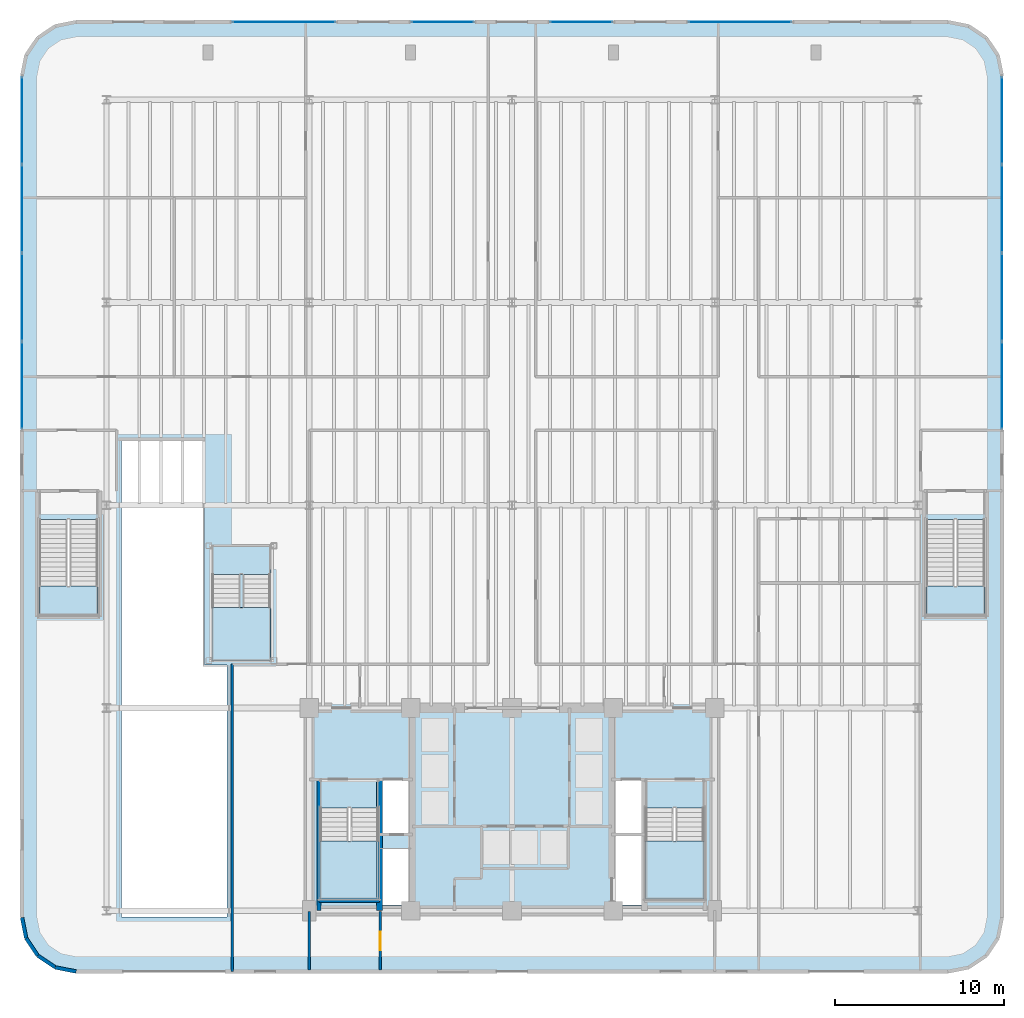
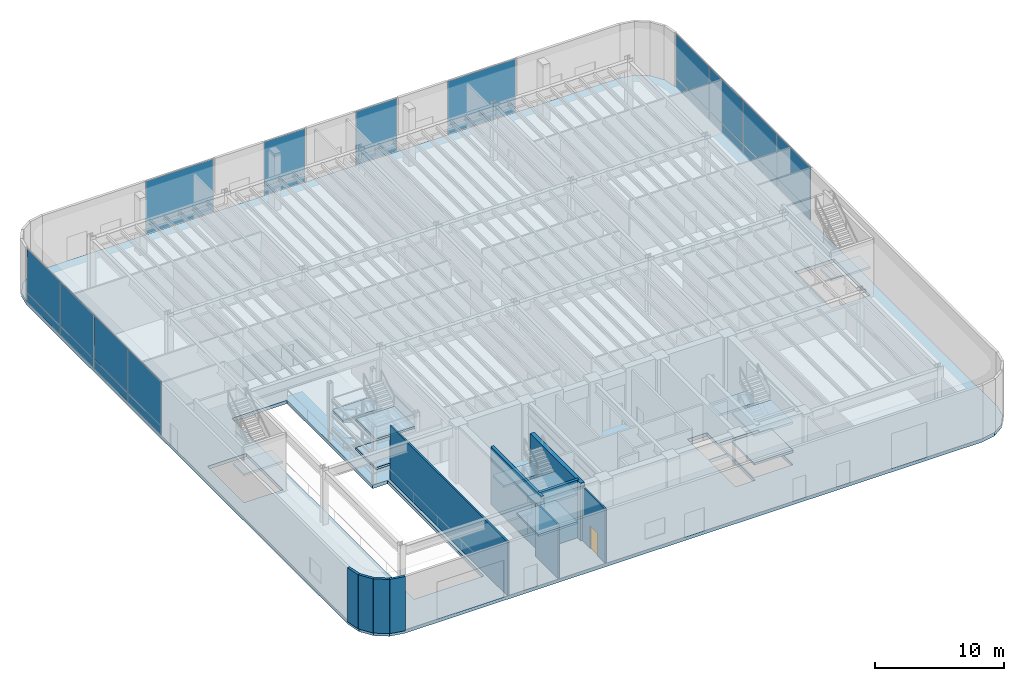
# One storey, part 6 of 17: 24 plates, 12 slabs, 10 walls, 1 door, 1 opening, 11 elements without a shape of their own.
"""IFC4 building model written with IfcOpenShell, lengths in metres."""

from ifc_helpers import new_model, si_unit, direction, frame, frame_2d, origin, origin_2d, place, context, subcontext, project, spatial, polyline, rectangle, outline, extrude, source, transform, mapped, material, layer, layer_set, type_object, element, fill, aggregate, save


model = new_model("IFC4")

# Units and contexts
model_context = context("Model", 3, precision=1e-05, world=origin(), true_north=direction((0.0, 1.0)))
body_context = subcontext(model_context, "Body", "Model", "MODEL_VIEW")
ifc_project = project(units=[si_unit("LENGTHUNIT", "METRE"), si_unit("AREAUNIT", "SQUARE_METRE"), si_unit("VOLUMEUNIT", "CUBIC_METRE"), si_unit("PLANEANGLEUNIT", "RADIAN"), si_unit("MASSUNIT", "GRAM", prefix="KILO")], contexts=[model_context])

# Site, building, storey
site_placement = place(None, origin())
site = spatial("IfcSite", under=ifc_project, at=site_placement, CompositionType="ELEMENT")
building_placement = place(site_placement, origin())
building = spatial("IfcBuilding", under=site, at=building_placement, Name="Brelvock Crest Care Tower", CompositionType="ELEMENT")
storey_placement = place(building_placement, origin())
storey = spatial("IfcBuildingStorey", under=building, at=storey_placement, Name="L00", CompositionType="ELEMENT", Elevation=0.0)

# Slab
ifc_material_1 = material(Name="Concrete N50 (50 MPa)", Category="concrete")
ifc_layer_1 = layer(ifc_material_1, 0.320068359375, Name="SLB-FL1")
ifc_layer_set_1 = layer_set([ifc_layer_1], Name="Concrete N50 (50 MPa)")
slab_type_1 = type_object("IfcSlabType", Name="SLB-FL1", PredefinedType="FLOOR", material=ifc_layer_set_1)
slab_1_placement = place(storey_placement, frame((0.0, 0.0, -0.320068359375)))
element("IfcSlab", 1, at=slab_1_placement, inside=storey, type_object=slab_type_1, Name="L00 Main Structural Slab", PredefinedType="FLOOR", context=body_context, shape_type="SweptSolid", body=[
    extrude(outline(polyline([(61.800048828125, 2.39990234375), (63.024658203125, 2.6435546875), (64.062744140625, 3.33740234375), (64.75634765625, 4.37548828125), (65.0, 5.60009765625), (65.0, 55.39990234375), (64.75634765625, 56.62451171875), (64.062744140625, 57.66259765625), (63.024658203125, 58.3564453125), (61.800048828125, 58.60009765625), (10.199951171875, 58.60009765625), (8.975341796875, 58.3564453125), (7.937255859375, 57.66259765625), (7.24365234375, 56.62451171875), (7.0, 55.39990234375), (7.0, 5.60009765625), (7.24365234375, 4.37548828125), (7.937255859375, 3.33740234375), (8.975341796875, 2.6435546875), (10.199951171875, 2.39990234375), (61.800048828125, 2.39990234375)]), holes=[polyline([(28.239990234375, 10.580078125), (29.97998046875, 10.580078125), (29.97998046875, 13.739990234375), (28.239990234375, 13.739990234375), (28.239990234375, 10.580078125)]), polyline([(42.02001953125, 10.580078125), (43.760009765625, 10.580078125), (43.760009765625, 13.739990234375), (42.02001953125, 13.739990234375), (42.02001953125, 10.580078125)]), polyline([(28.239990234375, 6.340087890625), (29.97998046875, 6.340087890625), (29.97998046875, 9.64990234375), (28.239990234375, 9.64990234375), (28.239990234375, 6.340087890625)]), polyline([(24.6298828125, 12.080078125), (24.6298828125, 6.699951171875), (28.110107421875, 6.699951171875), (28.110107421875, 12.080078125), (24.6298828125, 12.080078125)]), polyline([(43.889892578125, 12.080078125), (43.889892578125, 6.699951171875), (47.3701171875, 6.699951171875), (47.3701171875, 12.080078125), (43.889892578125, 12.080078125)]), polyline([(8.010009765625, 29.14990234375), (8.010009765625, 23.5), (11.489990234375, 23.5), (11.489990234375, 29.14990234375), (8.010009765625, 29.14990234375)]), polyline([(60.510009765625, 29.14990234375), (60.510009765625, 23.5), (63.989990234375, 23.5), (63.989990234375, 29.14990234375), (60.510009765625, 29.14990234375)]), polyline([(42.02001953125, 6.340087890625), (43.760009765625, 6.340087890625), (43.760009765625, 10.5), (42.02001953125, 10.5), (42.02001953125, 6.340087890625)]), polyline([(12.8798828125, 5.639892578125), (19.1201171875, 5.639892578125), (19.1201171875, 20.550048828125), (17.800048828125, 20.550048828125), (17.800048828125, 33.800048828125), (12.8798828125, 33.800048828125), (12.8798828125, 5.639892578125)])]), origin(), (0.0, 0.0, 1.0), 0.320068359375),
])

# Stair, slabs
ifc_material_2 = material(Name="Concrete N40 (40 MPa)", Category="concrete")
stair_type_1 = type_object("IfcStairType", Name="ST-CORE1", PredefinedType="HALF_TURN_STAIR", material=ifc_material_2)
stair_1_placement = place(storey_placement, origin())
stair_1 = element("IfcStair", 2, at=stair_1_placement, inside=storey, type_object=stair_type_1, Name="L00 Fire-Isolated Core Stair ST-1", PredefinedType="HALF_TURN_STAIR")
ifc_layer_2 = layer(ifc_material_2, 0.199951171875, Name="STL-1")
ifc_layer_set_2 = layer_set([ifc_layer_2], Name="Concrete N40 (40 MPa)")
slab_type_2 = type_object("IfcSlabType", Name="STL-1", PredefinedType="LANDING", material=ifc_layer_set_2)
slab_2_placement = place(storey_placement, frame((0.0, 0.0, 1.14990234375)))
slab_2 = element("IfcSlab", 3, at=slab_2_placement, type_object=slab_type_2, Name="ST-1 landing 1", PredefinedType="LANDING", context=body_context, shape_type="SweptSolid", body=[
    extrude(outline(polyline([(24.6298828125, 10.1201171875), (24.6298828125, 6.699951171875), (28.110107421875, 6.699951171875), (28.110107421875, 10.1201171875), (24.6298828125, 10.1201171875)])), origin(), (0.0, 0.0, 1.0), 0.2001953125),
])
slab_3_placement = place(storey_placement, frame((0.0, 0.0, 2.5)))
slab_3 = element("IfcSlab", 4, at=slab_3_placement, type_object=slab_type_2, Name="ST-1 landing 2", PredefinedType="LANDING", context=body_context, shape_type="SweptSolid", body=[
    extrude(outline(polyline([(24.6298828125, 13.780029296875), (24.6298828125, 12.080078125), (28.110107421875, 12.080078125), (28.110107421875, 13.780029296875), (24.6298828125, 13.780029296875)])), origin(), (0.0, 0.0, 1.0), 0.199951171875),
])
slab_4_placement = place(storey_placement, frame((0.0, 0.0, 3.85009765625)))
slab_4 = element("IfcSlab", 5, at=slab_4_placement, type_object=slab_type_2, Name="ST-1 landing 3", PredefinedType="LANDING", context=body_context, shape_type="SweptSolid", body=[
    extrude(outline(polyline([(24.6298828125, 10.1201171875), (24.6298828125, 6.699951171875), (28.110107421875, 6.699951171875), (28.110107421875, 10.1201171875), (24.6298828125, 10.1201171875)])), origin(), (0.0, 0.0, 1.0), 0.199951171875),
])
aggregate(stair_1, [slab_2, slab_3, slab_4])

stair_2_placement = place(storey_placement, origin())
stair_2 = element("IfcStair", 6, at=stair_2_placement, inside=storey, type_object=stair_type_1, Name="L00 Fire-Isolated Core Stair ST-2", PredefinedType="HALF_TURN_STAIR")
slab_5_placement = place(storey_placement, frame((0.0, 0.0, 1.14990234375)))
slab_5 = element("IfcSlab", 7, at=slab_5_placement, type_object=slab_type_2, Name="ST-2 landing 1", PredefinedType="LANDING", context=body_context, shape_type="SweptSolid", body=[
    extrude(outline(polyline([(43.889892578125, 10.1201171875), (43.889892578125, 6.699951171875), (47.3701171875, 6.699951171875), (47.3701171875, 10.1201171875), (43.889892578125, 10.1201171875)])), origin(), (0.0, 0.0, 1.0), 0.2001953125),
])
slab_6_placement = place(storey_placement, frame((0.0, 0.0, 2.5)))
slab_6 = element("IfcSlab", 8, at=slab_6_placement, type_object=slab_type_2, Name="ST-2 landing 2", PredefinedType="LANDING", context=body_context, shape_type="SweptSolid", body=[
    extrude(outline(polyline([(43.889892578125, 13.780029296875), (43.889892578125, 12.080078125), (47.3701171875, 12.080078125), (47.3701171875, 13.780029296875), (43.889892578125, 13.780029296875)])), origin(), (0.0, 0.0, 1.0), 0.199951171875),
])
slab_7_placement = place(storey_placement, frame((0.0, 0.0, 3.85009765625)))
slab_7 = element("IfcSlab", 9, at=slab_7_placement, type_object=slab_type_2, Name="ST-2 landing 3", PredefinedType="LANDING", context=body_context, shape_type="SweptSolid", body=[
    extrude(outline(polyline([(43.889892578125, 10.1201171875), (43.889892578125, 6.699951171875), (47.3701171875, 6.699951171875), (47.3701171875, 10.1201171875), (43.889892578125, 10.1201171875)])), origin(), (0.0, 0.0, 1.0), 0.199951171875),
])
aggregate(stair_2, [slab_5, slab_6, slab_7])

# Stair, slab
stair_type_2 = type_object("IfcStairType", Name="ST-POD1", PredefinedType="HALF_TURN_STAIR", material=ifc_material_2)
stair_3_placement = place(storey_placement, origin())
stair_3 = element("IfcStair", 10, at=stair_3_placement, inside=storey, type_object=stair_type_2, Name="L00 Podium West Fire Stair ST-3", PredefinedType="HALF_TURN_STAIR")
slab_8_placement = place(storey_placement, frame((0.0, 0.0, 2.5)))
slab_8 = element("IfcSlab", 11, at=slab_8_placement, type_object=slab_type_2, Name="ST-3 landing 1", PredefinedType="LANDING", context=body_context, shape_type="SweptSolid", body=[
    extrude(outline(polyline([(8.010009765625, 25.22998046875), (8.010009765625, 23.5), (11.489990234375, 23.5), (11.489990234375, 25.22998046875), (8.010009765625, 25.22998046875)])), origin(), (0.0, 0.0, 1.0), 0.199951171875),
])
aggregate(stair_3, [slab_8])

stair_4_placement = place(storey_placement, origin())
stair_4 = element("IfcStair", 12, at=stair_4_placement, inside=storey, type_object=stair_type_2, Name="L00 Podium East Fire Stair ST-4", PredefinedType="HALF_TURN_STAIR")
slab_9_placement = place(storey_placement, frame((0.0, 0.0, 2.5)))
slab_9 = element("IfcSlab", 13, at=slab_9_placement, type_object=slab_type_2, Name="ST-4 landing 1", PredefinedType="LANDING", context=body_context, shape_type="SweptSolid", body=[
    extrude(outline(polyline([(60.510009765625, 25.22998046875), (60.510009765625, 23.5), (63.989990234375, 23.5), (63.989990234375, 25.22998046875), (60.510009765625, 25.22998046875)])), origin(), (0.0, 0.0, 1.0), 0.199951171875),
])
aggregate(stair_4, [slab_9])

# Stair, slabs
stair_type_3 = type_object("IfcStairType", Name="ST-FEA1", PredefinedType="HALF_TURN_STAIR", material=ifc_material_2)
stair_5_placement = place(storey_placement, origin())
stair_5 = element("IfcStair", 14, at=stair_5_placement, inside=storey, type_object=stair_type_3, Name="L00 Clinic Atrium Feature Stair ST-5", PredefinedType="HALF_TURN_STAIR")
slab_10_placement = place(storey_placement, frame((0.0, 0.0, 1.14990234375)))
slab_10 = element("IfcSlab", 15, at=slab_10_placement, type_object=slab_type_2, Name="ST-5 landing 1", PredefinedType="LANDING", context=body_context, shape_type="SweptSolid", body=[
    extrude(outline(polyline([(18.239990234375, 23.93994140625), (18.239990234375, 20.800048828125), (21.719970703125, 20.800048828125), (21.719970703125, 23.93994140625), (18.239990234375, 23.93994140625)])), origin(), (0.0, 0.0, 1.0), 0.2001953125),
])
slab_11_placement = place(storey_placement, frame((0.0, 0.0, 2.5)))
slab_11 = element("IfcSlab", 16, at=slab_11_placement, type_object=slab_type_2, Name="ST-5 landing 2", PredefinedType="LANDING", context=body_context, shape_type="SweptSolid", body=[
    extrude(outline(polyline([(18.239990234375, 27.60009765625), (18.239990234375, 25.89990234375), (21.719970703125, 25.89990234375), (21.719970703125, 27.60009765625), (18.239990234375, 27.60009765625)])), origin(), (0.0, 0.0, 1.0), 0.199951171875),
])
slab_12_placement = place(storey_placement, frame((0.0, 0.0, 3.85009765625)))
slab_12 = element("IfcSlab", 17, at=slab_12_placement, type_object=slab_type_2, Name="ST-5 landing 3", PredefinedType="LANDING", context=body_context, shape_type="SweptSolid", body=[
    extrude(outline(polyline([(18.239990234375, 23.93994140625), (18.239990234375, 20.800048828125), (21.719970703125, 20.800048828125), (21.719970703125, 23.93994140625), (18.239990234375, 23.93994140625)])), origin(), (0.0, 0.0, 1.0), 0.199951171875),
])
aggregate(stair_5, [slab_10, slab_11, slab_12])

# Curtain wall, plates
ifc_material_3 = material(Name="Dark Glass Double Glazed Low-E", Category="glass")
ifc_layer_3 = layer(ifc_material_3, 0.179931640625, Name="CWS-1")
ifc_layer_set_3 = layer_set([ifc_layer_3], Name="Dark Glass Double Glazed Low-E")
curtain_wall_type = type_object("IfcCurtainWallType", Name="CWS-1", PredefinedType="NOTDEFINED", material=ifc_layer_set_3)
curtain_wall_1_placement = place(storey_placement, origin())
curtain_wall_1 = element("IfcCurtainWall", 18, at=curtain_wall_1_placement, inside=storey, type_object=curtain_wall_type, Name="L00 Curtain Wall WN", PredefinedType="NOTDEFINED")
ifc_material_4 = material(Name="Dark Glass Shadow-Box Spandrel", Category="glass")
ifc_layer_4 = layer(ifc_material_4, 0.048095703125, Name="CWP-SP1")
ifc_layer_set_4 = layer_set([ifc_layer_4], Name="Dark Glass Shadow-Box Spandrel")
plate_type_1 = type_object("IfcPlateType", Name="CWP-SP1", PredefinedType="SHEET", material=ifc_layer_set_4)
shared_shape_1 = source(origin(), body_context, "Body", "SweptSolid", [
    extrude(rectangle(XDim=5.139892578125, YDim=0.035888671875, at=origin_2d()), origin(), (0.0, 0.0, 1.0), 0.802490234375),
])
plate_1_placement = place(storey_placement, frame((7.0, 37.0849609375, 0.06494140625), z_axis=(0.0, 0.0, 1.0), x_axis=(0.0, 1.0, 0.0)))
plate_1 = element("IfcPlate", 19, at=plate_1_placement, type_object=plate_type_1, Name="CW-1 panel 1.1", PredefinedType="SHEET", context=body_context, shape_type="MappedRepresentation", body=[
    mapped(shared_shape_1, transform((0.0, 0.0, 0.0), x_axis=(1.0, 0.0, 0.0), y_axis=(0.0, 1.0, 0.0), z_axis=(0.0, 0.0, 1.0), scale=1.0)),
])
plate_2_placement = place(storey_placement, frame((7.0, 52.764892578125, 0.06494140625), z_axis=(0.0, 0.0, 1.0), x_axis=(0.0, 1.0, 0.0)))
plate_2 = element("IfcPlate", 20, at=plate_2_placement, type_object=plate_type_1, Name="CW-1 panel 4.1", PredefinedType="SHEET", context=body_context, shape_type="MappedRepresentation", body=[
    mapped(shared_shape_1, transform((0.0, 0.0, 0.0), x_axis=(1.0, 0.0, 0.0), y_axis=(0.0, 1.0, 0.0), z_axis=(0.0, 0.0, 1.0), scale=1.0)),
])

curtain_wall_2_placement = place(storey_placement, origin())
curtain_wall_2 = element("IfcCurtainWall", 21, at=curtain_wall_2_placement, inside=storey, type_object=curtain_wall_type, Name="L00 Curtain Wall EN", PredefinedType="NOTDEFINED")
plate_3_placement = place(storey_placement, frame((65.0, 52.764892578125, 0.06494140625), z_axis=(0.0, 0.0, 1.0), x_axis=(0.0, -1.0, 0.0)))
plate_3 = element("IfcPlate", 22, at=plate_3_placement, type_object=plate_type_1, Name="CW-1 panel 1.1", PredefinedType="SHEET", context=body_context, shape_type="MappedRepresentation", body=[
    mapped(shared_shape_1, transform((0.0, 0.0, 0.0), x_axis=(1.0, 0.0, 0.0), y_axis=(0.0, 1.0, 0.0), z_axis=(0.0, 0.0, 1.0), scale=1.0)),
])
plate_4_placement = place(storey_placement, frame((65.0, 37.0849609375, 0.06494140625), z_axis=(0.0, 0.0, 1.0), x_axis=(0.0, -1.0, 0.0)))
plate_4 = element("IfcPlate", 23, at=plate_4_placement, type_object=plate_type_1, Name="CW-1 panel 4.1", PredefinedType="SHEET", context=body_context, shape_type="MappedRepresentation", body=[
    mapped(shared_shape_1, transform((0.0, 0.0, 0.0), x_axis=(1.0, 0.0, 0.0), y_axis=(0.0, 1.0, 0.0), z_axis=(0.0, 0.0, 1.0), scale=1.0)),
])

# Plate
ifc_layer_5 = layer(ifc_material_3, 0.031982421875, Name="CWP-V1")
ifc_layer_set_5 = layer_set([ifc_layer_5], Name="Dark Glass Double Glazed Low-E")
plate_type_2 = type_object("IfcPlateType", Name="CWP-V1", PredefinedType="CURTAIN_PANEL", material=ifc_layer_set_5)
shared_shape_2 = source(origin(), body_context, "Body", "SweptSolid", [
    extrude(rectangle(XDim=5.139892578125, YDim=0.035888671875, at=origin_2d()), origin(), (0.0, 0.0, 1.0), 4.12255859375),
])
plate_5_placement = place(storey_placement, frame((7.0, 37.0849609375, 0.932373046875), z_axis=(0.0, 0.0, 1.0), x_axis=(0.0, 1.0, 0.0)))
plate_5 = element("IfcPlate", 24, at=plate_5_placement, type_object=plate_type_2, Name="CW-1 panel 1.2", PredefinedType="CURTAIN_PANEL", context=body_context, shape_type="MappedRepresentation", body=[
    mapped(shared_shape_2, transform((0.0, 0.0, 0.0), x_axis=(1.0, 0.0, 0.0), y_axis=(0.0, 1.0, 0.0), z_axis=(0.0, 0.0, 1.0), scale=1.0)),
])

plate_6_placement = place(storey_placement, frame((7.0, 52.764892578125, 0.932373046875), z_axis=(0.0, 0.0, 1.0), x_axis=(0.0, 1.0, 0.0)))
plate_6 = element("IfcPlate", 25, at=plate_6_placement, type_object=plate_type_2, Name="CW-1 panel 4.2", PredefinedType="CURTAIN_PANEL", context=body_context, shape_type="MappedRepresentation", body=[
    mapped(shared_shape_2, transform((0.0, 0.0, 0.0), x_axis=(1.0, 0.0, 0.0), y_axis=(0.0, 1.0, 0.0), z_axis=(0.0, 0.0, 1.0), scale=1.0)),
])

plate_7_placement = place(storey_placement, frame((65.0, 52.764892578125, 0.932373046875), z_axis=(0.0, 0.0, 1.0), x_axis=(0.0, -1.0, 0.0)))
plate_7 = element("IfcPlate", 26, at=plate_7_placement, type_object=plate_type_2, Name="CW-1 panel 1.2", PredefinedType="CURTAIN_PANEL", context=body_context, shape_type="MappedRepresentation", body=[
    mapped(shared_shape_2, transform((0.0, 0.0, 0.0), x_axis=(1.0, 0.0, 0.0), y_axis=(0.0, 1.0, 0.0), z_axis=(0.0, 0.0, 1.0), scale=1.0)),
])

plate_8_placement = place(storey_placement, frame((65.0, 37.0849609375, 0.932373046875), z_axis=(0.0, 0.0, 1.0), x_axis=(0.0, -1.0, 0.0)))
plate_8 = element("IfcPlate", 27, at=plate_8_placement, type_object=plate_type_2, Name="CW-1 panel 4.2", PredefinedType="CURTAIN_PANEL", context=body_context, shape_type="MappedRepresentation", body=[
    mapped(shared_shape_2, transform((0.0, 0.0, 0.0), x_axis=(1.0, 0.0, 0.0), y_axis=(0.0, 1.0, 0.0), z_axis=(0.0, 0.0, 1.0), scale=1.0)),
])

shared_shape_3 = source(origin(), body_context, "Body", "SweptSolid", [
    extrude(rectangle(XDim=5.172607421875, YDim=0.035888671875, at=origin_2d()), origin(), (0.0, 0.0, 1.0), 0.802490234375),
])
plate_9_placement = place(storey_placement, frame((7.0, 42.30615234375, 0.06494140625), z_axis=(0.0, 0.0, 1.0), x_axis=(0.0, 1.0, 0.0)))
plate_9 = element("IfcPlate", 28, at=plate_9_placement, type_object=plate_type_1, Name="CW-1 panel 2.1", PredefinedType="SHEET", context=body_context, shape_type="MappedRepresentation", body=[
    mapped(shared_shape_3, transform((0.0, 0.0, 0.0), x_axis=(1.0, 0.0, 0.0), y_axis=(0.0, 1.0, 0.0), z_axis=(0.0, 0.0, 1.0), scale=1.0)),
])

plate_10_placement = place(storey_placement, frame((7.0, 47.543701171875, 0.06494140625), z_axis=(0.0, 0.0, 1.0), x_axis=(0.0, 1.0, 0.0)))
plate_10 = element("IfcPlate", 29, at=plate_10_placement, type_object=plate_type_1, Name="CW-1 panel 3.1", PredefinedType="SHEET", context=body_context, shape_type="MappedRepresentation", body=[
    mapped(shared_shape_3, transform((0.0, 0.0, 0.0), x_axis=(1.0, 0.0, 0.0), y_axis=(0.0, 1.0, 0.0), z_axis=(0.0, 0.0, 1.0), scale=1.0)),
])

plate_11_placement = place(storey_placement, frame((65.0, 47.543701171875, 0.06494140625), z_axis=(0.0, 0.0, 1.0), x_axis=(0.0, -1.0, 0.0)))
plate_11 = element("IfcPlate", 30, at=plate_11_placement, type_object=plate_type_1, Name="CW-1 panel 2.1", PredefinedType="SHEET", context=body_context, shape_type="MappedRepresentation", body=[
    mapped(shared_shape_3, transform((0.0, 0.0, 0.0), x_axis=(1.0, 0.0, 0.0), y_axis=(0.0, 1.0, 0.0), z_axis=(0.0, 0.0, 1.0), scale=1.0)),
])

plate_12_placement = place(storey_placement, frame((65.0, 42.30615234375, 0.06494140625), z_axis=(0.0, 0.0, 1.0), x_axis=(0.0, -1.0, 0.0)))
plate_12 = element("IfcPlate", 31, at=plate_12_placement, type_object=plate_type_1, Name="CW-1 panel 3.1", PredefinedType="SHEET", context=body_context, shape_type="MappedRepresentation", body=[
    mapped(shared_shape_3, transform((0.0, 0.0, 0.0), x_axis=(1.0, 0.0, 0.0), y_axis=(0.0, 1.0, 0.0), z_axis=(0.0, 0.0, 1.0), scale=1.0)),
])

shared_shape_4 = source(origin(), body_context, "Body", "SweptSolid", [
    extrude(rectangle(XDim=5.172607421875, YDim=0.035888671875, at=origin_2d()), origin(), (0.0, 0.0, 1.0), 4.12255859375),
])
plate_13_placement = place(storey_placement, frame((7.0, 42.30615234375, 0.932373046875), z_axis=(0.0, 0.0, 1.0), x_axis=(0.0, 1.0, 0.0)))
plate_13 = element("IfcPlate", 32, at=plate_13_placement, type_object=plate_type_2, Name="CW-1 panel 2.2", PredefinedType="CURTAIN_PANEL", context=body_context, shape_type="MappedRepresentation", body=[
    mapped(shared_shape_4, transform((0.0, 0.0, 0.0), x_axis=(1.0, 0.0, 0.0), y_axis=(0.0, 1.0, 0.0), z_axis=(0.0, 0.0, 1.0), scale=1.0)),
])

plate_14_placement = place(storey_placement, frame((7.0, 47.543701171875, 0.932373046875), z_axis=(0.0, 0.0, 1.0), x_axis=(0.0, 1.0, 0.0)))
plate_14 = element("IfcPlate", 33, at=plate_14_placement, type_object=plate_type_2, Name="CW-1 panel 3.2", PredefinedType="CURTAIN_PANEL", context=body_context, shape_type="MappedRepresentation", body=[
    mapped(shared_shape_4, transform((0.0, 0.0, 0.0), x_axis=(1.0, 0.0, 0.0), y_axis=(0.0, 1.0, 0.0), z_axis=(0.0, 0.0, 1.0), scale=1.0)),
])

aggregate(curtain_wall_1, [plate_1, plate_5, plate_9, plate_13, plate_10, plate_14, plate_2, plate_6])

plate_15_placement = place(storey_placement, frame((65.0, 47.543701171875, 0.932373046875), z_axis=(0.0, 0.0, 1.0), x_axis=(0.0, -1.0, 0.0)))
plate_15 = element("IfcPlate", 34, at=plate_15_placement, type_object=plate_type_2, Name="CW-1 panel 2.2", PredefinedType="CURTAIN_PANEL", context=body_context, shape_type="MappedRepresentation", body=[
    mapped(shared_shape_4, transform((0.0, 0.0, 0.0), x_axis=(1.0, 0.0, 0.0), y_axis=(0.0, 1.0, 0.0), z_axis=(0.0, 0.0, 1.0), scale=1.0)),
])

plate_16_placement = place(storey_placement, frame((65.0, 42.30615234375, 0.932373046875), z_axis=(0.0, 0.0, 1.0), x_axis=(0.0, -1.0, 0.0)))
plate_16 = element("IfcPlate", 35, at=plate_16_placement, type_object=plate_type_2, Name="CW-1 panel 3.2", PredefinedType="CURTAIN_PANEL", context=body_context, shape_type="MappedRepresentation", body=[
    mapped(shared_shape_4, transform((0.0, 0.0, 0.0), x_axis=(1.0, 0.0, 0.0), y_axis=(0.0, 1.0, 0.0), z_axis=(0.0, 0.0, 1.0), scale=1.0)),
])

aggregate(curtain_wall_2, [plate_3, plate_7, plate_11, plate_15, plate_12, plate_16, plate_4, plate_8])

# Curtain wall, plate
curtain_wall_3_placement = place(storey_placement, origin())
curtain_wall_3 = element("IfcCurtainWall", 36, at=curtain_wall_3_placement, inside=storey, type_object=curtain_wall_type, Name="L00 Curtain Wall NCW1", PredefinedType="NOTDEFINED")
shared_shape_5 = source(origin(), body_context, "Body", "SweptSolid", [
    extrude(rectangle(XDim=6.070068359375, YDim=0.035888671875, at=origin_2d()), origin(), (0.0, 0.0, 1.0), 0.802490234375),
])
plate_17_placement = place(storey_placement, frame((22.5, 58.60009765625, 0.06494140625), z_axis=(0.0, 0.0, 1.0), x_axis=(1.0, 0.0, 0.0)))
plate_17 = element("IfcPlate", 37, at=plate_17_placement, type_object=plate_type_1, Name="CW-1 panel 1.1", PredefinedType="SHEET", context=body_context, shape_type="MappedRepresentation", body=[
    mapped(shared_shape_5, transform((0.0, 0.0, 0.0), x_axis=(1.0, 0.0, 0.0), y_axis=(0.0, 1.0, 0.0), z_axis=(0.0, 0.0, 1.0), scale=1.0)),
])

curtain_wall_4_placement = place(storey_placement, origin())
curtain_wall_4 = element("IfcCurtainWall", 38, at=curtain_wall_4_placement, inside=storey, type_object=curtain_wall_type, Name="L00 Curtain Wall NCW3", PredefinedType="NOTDEFINED")
plate_18_placement = place(storey_placement, frame((49.5, 58.60009765625, 0.06494140625), z_axis=(0.0, 0.0, 1.0), x_axis=(1.0, 0.0, 0.0)))
plate_18 = element("IfcPlate", 39, at=plate_18_placement, type_object=plate_type_1, Name="CW-1 panel 1.1", PredefinedType="SHEET", context=body_context, shape_type="MappedRepresentation", body=[
    mapped(shared_shape_5, transform((0.0, 0.0, 0.0), x_axis=(1.0, 0.0, 0.0), y_axis=(0.0, 1.0, 0.0), z_axis=(0.0, 0.0, 1.0), scale=1.0)),
])

# Plate
shared_shape_6 = source(origin(), body_context, "Body", "SweptSolid", [
    extrude(rectangle(XDim=6.070068359375, YDim=0.035888671875, at=origin_2d()), origin(), (0.0, 0.0, 1.0), 4.12255859375),
])
plate_19_placement = place(storey_placement, frame((22.5, 58.60009765625, 0.932373046875), z_axis=(0.0, 0.0, 1.0), x_axis=(1.0, 0.0, 0.0)))
plate_19 = element("IfcPlate", 40, at=plate_19_placement, type_object=plate_type_2, Name="CW-1 panel 1.2", PredefinedType="CURTAIN_PANEL", context=body_context, shape_type="MappedRepresentation", body=[
    mapped(shared_shape_6, transform((0.0, 0.0, 0.0), x_axis=(1.0, 0.0, 0.0), y_axis=(0.0, 1.0, 0.0), z_axis=(0.0, 0.0, 1.0), scale=1.0)),
])

aggregate(curtain_wall_3, [plate_17, plate_19])

plate_20_placement = place(storey_placement, frame((49.5, 58.60009765625, 0.932373046875), z_axis=(0.0, 0.0, 1.0), x_axis=(1.0, 0.0, 0.0)))
plate_20 = element("IfcPlate", 41, at=plate_20_placement, type_object=plate_type_2, Name="CW-1 panel 1.2", PredefinedType="CURTAIN_PANEL", context=body_context, shape_type="MappedRepresentation", body=[
    mapped(shared_shape_6, transform((0.0, 0.0, 0.0), x_axis=(1.0, 0.0, 0.0), y_axis=(0.0, 1.0, 0.0), z_axis=(0.0, 0.0, 1.0), scale=1.0)),
])

aggregate(curtain_wall_4, [plate_18, plate_20])

# Curtain wall, plate
curtain_wall_5_placement = place(storey_placement, origin())
curtain_wall_5 = element("IfcCurtainWall", 42, at=curtain_wall_5_placement, inside=storey, type_object=curtain_wall_type, Name="L00 Curtain Wall NCW2A", PredefinedType="NOTDEFINED")
shared_shape_7 = source(origin(), body_context, "Body", "SweptSolid", [
    extrude(rectangle(XDim=3.669921875, YDim=0.035888671875, at=origin_2d()), origin(), (0.0, 0.0, 1.0), 0.802490234375),
])
plate_21_placement = place(storey_placement, frame((31.89990234375, 58.60009765625, 0.06494140625), z_axis=(0.0, 0.0, 1.0), x_axis=(1.0, 0.0, 0.0)))
plate_21 = element("IfcPlate", 43, at=plate_21_placement, type_object=plate_type_1, Name="CW-1 panel 1.1", PredefinedType="SHEET", context=body_context, shape_type="MappedRepresentation", body=[
    mapped(shared_shape_7, transform((0.0, 0.0, 0.0), x_axis=(1.0, 0.0, 0.0), y_axis=(0.0, 1.0, 0.0), z_axis=(0.0, 0.0, 1.0), scale=1.0)),
])

curtain_wall_6_placement = place(storey_placement, origin())
curtain_wall_6 = element("IfcCurtainWall", 44, at=curtain_wall_6_placement, inside=storey, type_object=curtain_wall_type, Name="L00 Curtain Wall NCW2B", PredefinedType="NOTDEFINED")
plate_22_placement = place(storey_placement, frame((40.10009765625, 58.60009765625, 0.06494140625), z_axis=(0.0, 0.0, 1.0), x_axis=(1.0, 0.0, 0.0)))
plate_22 = element("IfcPlate", 45, at=plate_22_placement, type_object=plate_type_1, Name="CW-1 panel 1.1", PredefinedType="SHEET", context=body_context, shape_type="MappedRepresentation", body=[
    mapped(shared_shape_7, transform((0.0, 0.0, 0.0), x_axis=(1.0, 0.0, 0.0), y_axis=(0.0, 1.0, 0.0), z_axis=(0.0, 0.0, 1.0), scale=1.0)),
])

# Plate
shared_shape_8 = source(origin(), body_context, "Body", "SweptSolid", [
    extrude(rectangle(XDim=3.669921875, YDim=0.035888671875, at=origin_2d()), origin(), (0.0, 0.0, 1.0), 4.12255859375),
])
plate_23_placement = place(storey_placement, frame((31.89990234375, 58.60009765625, 0.932373046875), z_axis=(0.0, 0.0, 1.0), x_axis=(1.0, 0.0, 0.0)))
plate_23 = element("IfcPlate", 46, at=plate_23_placement, type_object=plate_type_2, Name="CW-1 panel 1.2", PredefinedType="CURTAIN_PANEL", context=body_context, shape_type="MappedRepresentation", body=[
    mapped(shared_shape_8, transform((0.0, 0.0, 0.0), x_axis=(1.0, 0.0, 0.0), y_axis=(0.0, 1.0, 0.0), z_axis=(0.0, 0.0, 1.0), scale=1.0)),
])

aggregate(curtain_wall_5, [plate_21, plate_23])

plate_24_placement = place(storey_placement, frame((40.10009765625, 58.60009765625, 0.932373046875), z_axis=(0.0, 0.0, 1.0), x_axis=(1.0, 0.0, 0.0)))
plate_24 = element("IfcPlate", 47, at=plate_24_placement, type_object=plate_type_2, Name="CW-1 panel 1.2", PredefinedType="CURTAIN_PANEL", context=body_context, shape_type="MappedRepresentation", body=[
    mapped(shared_shape_8, transform((0.0, 0.0, 0.0), x_axis=(1.0, 0.0, 0.0), y_axis=(0.0, 1.0, 0.0), z_axis=(0.0, 0.0, 1.0), scale=1.0)),
])

aggregate(curtain_wall_6, [plate_22, plate_24])

# Walls
ifc_material_5 = material(Name="Concrete S80 (80 MPa)", Category="concrete")
ifc_layer_6 = layer(ifc_material_5, 0.35009765625, Name="WL-CS5")
ifc_layer_set_6 = layer_set([ifc_layer_6], Name="Concrete S80 (80 MPa)")
wall_type_1 = type_object("IfcWallType", Name="WL-CS5", PredefinedType="SHEAR", material=ifc_layer_set_6)
wall_1_placement = place(storey_placement, frame((28.14990234375, 6.0, 0.0), z_axis=(0.0, 0.0, 1.0), x_axis=(0.0, 1.0, 0.0)))
element("IfcWall", 48, at=wall_1_placement, inside=storey, type_object=wall_type_1, Name="L00 Core Stair ST-1 East Shear Wall", PredefinedType="SHEAR", context=body_context, shape_type="SweptSolid", body=[
    extrude(rectangle(XDim=7.780029296875, YDim=0.35009765625, at=frame_2d((3.89013671875, 0.0))), origin(), (0.0, 0.0, 1.0), 5.43994140625),
])
ifc_layer_7 = layer(ifc_material_5, 0.25, Name="WL-CS6")
ifc_layer_set_7 = layer_set([ifc_layer_7], Name="Concrete S80 (80 MPa)")
wall_type_2 = type_object("IfcWallType", Name="WL-CS6", PredefinedType="SHEAR", material=ifc_layer_set_7)
wall_2_placement = place(storey_placement, frame((24.580078125, 6.0, 0.0), z_axis=(0.0, 0.0, 1.0), x_axis=(0.0, 1.0, 0.0)))
element("IfcWall", 49, at=wall_2_placement, inside=storey, type_object=wall_type_2, Name="L00 Core Stair ST-1 West Shear Wall", PredefinedType="SHEAR", context=body_context, shape_type="SweptSolid", body=[
    extrude(rectangle(XDim=7.780029296875, YDim=0.25, at=frame_2d((3.89013671875, 0.0))), origin(), (0.0, 0.0, 1.0), 5.43994140625),
])
wall_3_placement = place(storey_placement, frame((24.580078125, 6.6201171875, 0.0), z_axis=(0.0, 0.0, 1.0), x_axis=(1.0, 0.0, 0.0)))
element("IfcWall", 50, at=wall_3_placement, inside=storey, type_object=wall_type_2, Name="L00 Core Stair ST-1 South Shear Wall", PredefinedType="SHEAR", context=body_context, shape_type="SweptSolid", body=[
    extrude(rectangle(XDim=3.56982421875, YDim=0.25, at=frame_2d((1.784912109375, 0.0))), origin(), (0.0, 0.0, 1.0), 5.43994140625),
])
ifc_material_6 = material(Name="Precast concrete N40 (40 MPa)", Category="concrete")
ifc_layer_8 = layer(ifc_material_6, 0.215087890625, Name="WL-EX2")
ifc_layer_set_8 = layer_set([ifc_layer_8], Name="Precast concrete N40 (40 MPa)")
wall_type_3 = type_object("IfcWallType", Name="WL-EX2", PredefinedType="SOLIDWALL", material=ifc_layer_set_8)
for number, where, z_axis, x_axis, name in (
    (51, (10.199951171875, 2.39990234375, 0.0), (0.0, 0.0, 1.0), (-0.980775717779, 0.195138390419, 0.0), "L00 Corner Pier 00"),
    (52, (8.975341796875, 2.6435546875, 0.0), (0.0, 0.0, 1.0), (-0.831387912822, 0.555692485475, 0.0), "L00 Corner Pier 01"),
    (53, (7.937255859375, 3.33740234375, 0.0), (0.0, 0.0, 1.0), (-0.555557312883, 0.831478245117, 0.0), "L00 Corner Pier 02"),
    (54, (7.24365234375, 4.37548828125, 0.0), (0.0, 0.0, 1.0), (-0.195138390419, 0.980775717779, 0.0), "L00 Corner Pier 03"),
):
    element("IfcWall", number, at=place(storey_placement, frame(where, z_axis=z_axis, x_axis=x_axis)), inside=storey, type_object=wall_type_3, Name=name, PredefinedType="SOLIDWALL", context=body_context, shape_type="SweptSolid", body=[
        extrude(rectangle(XDim=1.24853515625, YDim=0.215087890625, at=frame_2d((0.624267578125, 0.0))), origin(), (0.0, 0.0, 1.0), 5.1201171875),
    ])
ifc_material_7 = material(Name="Masonry Blockwork Acoustic Partition", Category="masonry")
ifc_layer_9 = layer(ifc_material_7, 0.14990234375, Name="WL-INT1")
ifc_layer_set_9 = layer_set([ifc_layer_9], Name="Masonry Blockwork Acoustic Partition")
wall_type_4 = type_object("IfcWallType", Name="WL-INT1", PredefinedType="PARTITIONING", material=ifc_layer_set_9)
wall_4_placement = place(storey_placement, frame((19.449951171875, 2.39990234375, 0.0), z_axis=(0.0, 0.0, 1.0), x_axis=(0.0, 1.0, 0.0)))
element("IfcWall", 55, at=wall_4_placement, inside=storey, type_object=wall_type_4, Name="L00 Interior Wall WL-L00-EX1W", PredefinedType="PARTITIONING", context=body_context, shape_type="SweptSolid", body=[
    extrude(rectangle(XDim=18.2001953125, YDim=0.14990234375, at=frame_2d((9.10009765625, 0.0))), origin(), (0.0, 0.0, 1.0), 5.090087890625),
])
wall_5_placement = place(storey_placement, frame((24.0, 2.47998046875, 0.0), z_axis=(0.0, 0.0, 1.0), x_axis=(0.0, 1.0, 0.0)))
element("IfcWall", 56, at=wall_5_placement, inside=storey, type_object=wall_type_4, Name="L00 Interior Wall WL-BX-L00-FCC-W", PredefinedType="PARTITIONING", context=body_context, shape_type="SweptSolid", body=[
    extrude(rectangle(XDim=3.469970703125, YDim=0.14990234375, at=frame_2d((1.73486328125, 0.0))), origin(), (0.0, 0.0, 1.0), 5.090087890625),
])

# Wall, opening, door
wall_6_placement = place(storey_placement, frame((28.199951171875, 2.47998046875, 0.0), z_axis=(0.0, 0.0, 1.0), x_axis=(0.0, 1.0, 0.0)))
wall_6 = element("IfcWall", 57, at=wall_6_placement, inside=storey, type_object=wall_type_4, Name="L00 Interior Wall WL-RM-L00-FCC", PredefinedType="PARTITIONING", context=body_context, shape_type="SweptSolid", body=[
    extrude(rectangle(XDim=3.469970703125, YDim=0.14990234375, at=frame_2d((1.73486328125, 0.0))), origin(), (0.0, 0.0, 1.0), 5.090087890625),
])
opening_placement = place(wall_6_placement, frame((1.169921875, 0.0, 0.0)))
opening = element("IfcOpeningElement", 58, at=opening_placement, cuts=wall_6, Name="Opening PD-1", PredefinedType="OPENING", context=body_context, shape_type="SweptSolid", body=[
    extrude(rectangle(XDim=1.10009765625, YDim=2.10009765625, at=origin_2d()), frame((0.550048828125, 0.0849609375, 1.050048828125), z_axis=(0.0, -1.0, 0.0), x_axis=(1.0, 0.0, 0.0)), (0.0, 0.0, 1.0), 0.169921875),
])
ifc_material_8 = material(Name="Steel Grade 350", Category="steel")
door_type = type_object("IfcDoorType", Name="DR-PLT1", OperationType="NOTDEFINED", PredefinedType="DOOR", material=ifc_material_8)
shared_shape_9 = source(origin(), body_context, "Body", "SweptSolid", [
    extrude(rectangle(XDim=1.10009765625, YDim=2.10009765625, at=origin_2d()), frame((0.550048828125, 0.02490234375, 1.050048828125), z_axis=(0.0, -1.0, 0.0), x_axis=(1.0, 0.0, 0.0)), (0.0, 0.0, 1.0), 0.050048828125),
])
door_placement = place(opening_placement, origin())
door = element("IfcDoor", 59, at=door_placement, inside=storey, type_object=door_type, Name="L00 Fire Command Centre Door FCC", OperationType="SINGLE_SWING_LEFT", OverallHeight=2.10009765625, OverallWidth=1.10009765625, PredefinedType="DOOR", context=body_context, shape_type="MappedRepresentation", body=[
    mapped(shared_shape_9, transform((0.0, 0.0, 0.0), x_axis=(1.0, 0.0, 0.0), y_axis=(0.0, 1.0, 0.0), z_axis=(0.0, 0.0, 1.0), scale=1.0)),
])
fill(opening, door)

save(model, "model.ifc")
